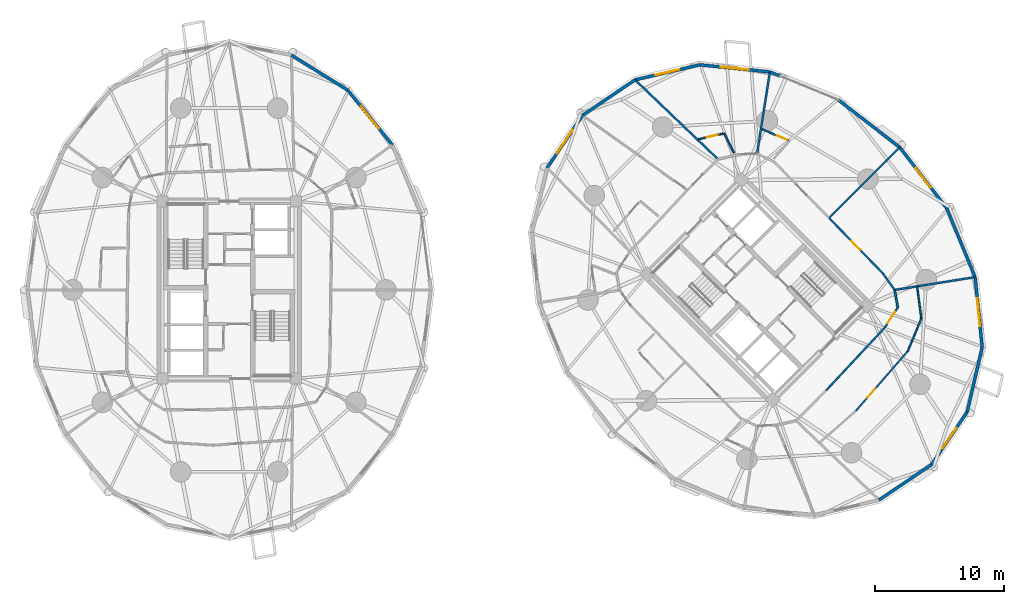
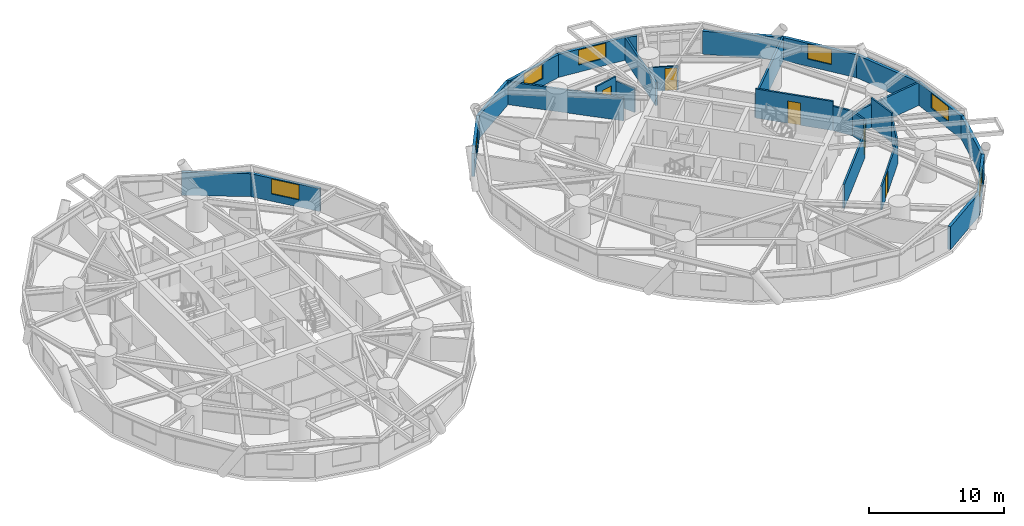
# One storey, part 15 of 18: 29 walls, 7 windows, 5 doors, 12 openings.
"""IFC4 building model written with IfcOpenShell, lengths in metres."""

from ifc_helpers import new_model, si_unit, direction, frame, frame_2d, origin, place, context, subcontext, project, spatial, rectangle, extrude, source, transform, mapped, material, layer, layer_set, type_object, element, fill, save


model = new_model("IFC4")

# Units and contexts
model_context = context("Model", 3, precision=1e-05, world=origin(), true_north=direction((0.0, 1.0)))
body_context = subcontext(model_context, "Body", "Model", "MODEL_VIEW")
ifc_project = project(units=[si_unit("LENGTHUNIT", "METRE"), si_unit("AREAUNIT", "SQUARE_METRE"), si_unit("VOLUMEUNIT", "CUBIC_METRE"), si_unit("PLANEANGLEUNIT", "RADIAN"), si_unit("MASSUNIT", "GRAM", prefix="KILO")], contexts=[model_context])

# Site, building, storey
site_placement = place(None, origin())
site = spatial("IfcSite", under=ifc_project, at=site_placement, CompositionType="ELEMENT")
building_placement = place(site_placement, origin())
building = spatial("IfcBuilding", under=site, at=building_placement, Name="Cununo Teusaquillo Station Towers", CompositionType="ELEMENT")
storey_placement = place(building_placement, frame((0.0, 0.0, 54.010009765625)))
storey = spatial("IfcBuildingStorey", under=building, at=storey_placement, Name="L16", CompositionType="ELEMENT", Elevation=54.010009765625)

# Wall, opening, window
ifc_material_1 = material(Name="Precast concrete C40/50", Category="concrete")
ifc_layer_1 = layer(ifc_material_1, 0.239990234375)
ifc_layer_set_1 = layer_set([ifc_layer_1], Name="Precast concrete C40/50")
wall_type_1 = type_object("IfcWallType", Name="WL-EXT-240", PredefinedType="SOLIDWALL", material=ifc_layer_set_1)
wall_1_placement = place(storey_placement, frame((25.70654296875, 40.0087890625, 0.0), z_axis=(0.0, 0.0, 1.0), x_axis=(0.632713287022, -0.77438614168, 0.0)))
wall_1 = element("IfcWall", 1, at=wall_1_placement, inside=storey, type_object=wall_type_1, Name="L16 Tower A Exterior Facade Wall C02", PredefinedType="SOLIDWALL", context=body_context, shape_type="SweptSolid", body=[
    extrude(rectangle(XDim=5.4765625, YDim=0.239990234375, at=frame_2d((2.73828125, 0.0))), origin(), (0.0, 0.0, 1.0), 2.072998046875),
])
shared_shape_1 = source(origin(), body_context, "Body", "SweptSolid", [
    extrude(rectangle(XDim=2.199951171875, YDim=1.35009765625, at=frame_2d((1.10009765625, 0.675048828125))), frame((0.0, 0.1298828125, 0.0), z_axis=(0.0, -1.0, 0.0), x_axis=(1.0, 0.0, 0.0)), (0.0, 0.0, 1.0), 0.260009765625),
])
opening_1_placement = place(wall_1_placement, frame((1.637939453125, 0.0, 0.64990234375)))
opening_1 = element("IfcOpeningElement", 2, at=opening_1_placement, cuts=wall_1, Name="Opening WN-01", PredefinedType="OPENING", context=body_context, shape_type="MappedRepresentation", body=[
    mapped(shared_shape_1, transform((0.0, 0.0, 0.0), x_axis=(1.0, 0.0, 0.0), y_axis=(0.0, 1.0, 0.0), z_axis=(0.0, 0.0, 1.0), scale=1.0)),
])
ifc_material_2 = material(Name="Ceramic-fritted dark low-E double glazing", Category="glass")
window_type_1 = type_object("IfcWindowType", Name="WIN-FRIT-2200", PartitioningType="DOUBLE_PANEL_VERTICAL", PredefinedType="WINDOW", material=ifc_material_2)
shared_shape_2 = source(origin(), body_context, "Body", "SweptSolid", [
    extrude(rectangle(XDim=2.199951171875, YDim=1.35009765625, at=frame_2d((1.10009765625, 0.675048828125))), frame((0.0, 0.030029296875, 0.0), z_axis=(0.0, -1.0, 0.0), x_axis=(1.0, 0.0, 0.0)), (0.0, 0.0, 1.0), 0.06005859375),
])
window_1_placement = place(opening_1_placement, origin())
window_1 = element("IfcWindow", 3, at=window_1_placement, inside=storey, type_object=window_type_1, Name="L16 Tower A Facade Window C02", OverallHeight=1.35009765625, OverallWidth=2.199951171875, PartitioningType="DOUBLE_PANEL_VERTICAL", PredefinedType="WINDOW", context=body_context, shape_type="MappedRepresentation", body=[
    mapped(shared_shape_2, transform((0.0, 0.0, 0.0), x_axis=(1.0, 0.0, 0.0), y_axis=(0.0, 1.0, 0.0), z_axis=(0.0, 0.0, 1.0), scale=1.0)),
])
fill(opening_1, window_1)

# Walls
wall_2_placement = place(storey_placement, frame((21.340087890625, 42.731689453125, 0.0), z_axis=(0.0, 0.0, 1.0), x_axis=(0.848533613342, -0.529141481107, 0.0)))
element("IfcWall", 4, at=wall_2_placement, inside=storey, type_object=wall_type_1, Name="L16 Tower A Exterior Facade Wall C03", PredefinedType="SOLIDWALL", context=body_context, shape_type="SweptSolid", body=[
    extrude(rectangle(XDim=5.14599609375, YDim=0.239990234375, at=frame_2d((2.572998046875, 0.0))), origin(), (0.0, 0.0, 1.0), 2.072998046875),
])
wall_3_placement = place(storey_placement, frame((63.844482421875, 39.22216796875, 0.0), z_axis=(0.0, 0.0, 1.0), x_axis=(0.792014314407, -0.610502519057, 0.0)))
element("IfcWall", 5, at=wall_3_placement, inside=storey, type_object=wall_type_1, Name="L16 Tower B Exterior Facade Wall C00", PredefinedType="SOLIDWALL", context=body_context, shape_type="SweptSolid", body=[
    extrude(rectangle(XDim=5.973388671875, YDim=0.239990234375, at=frame_2d((2.98681640625, 0.0))), origin(), (0.0, 0.0, 1.0), 2.072998046875),
])
wall_4_placement = place(storey_placement, frame((58.49267578125, 41.427734375, 0.0), z_axis=(0.0, 0.0, 1.0), x_axis=(0.924556017656, -0.381046152345, 0.0)))
element("IfcWall", 6, at=wall_4_placement, inside=storey, type_object=wall_type_1, Name="L16 Tower B Column Pier Cladding Wall C01-PA", PredefinedType="SOLIDWALL", context=body_context, shape_type="SweptSolid", body=[
    extrude(rectangle(XDim=0.8701171875, YDim=0.239990234375, at=frame_2d((0.43505859375, 0.0))), origin(), (0.0, 0.0, 1.0), 2.072998046875),
])

# Wall, opening, window
wall_5_placement = place(storey_placement, frame((53.04345703125, 41.976318359375, 0.0), z_axis=(0.0, 0.0, 1.0), x_axis=(0.994970765694, -0.100165739718, 0.0)))
wall_5 = element("IfcWall", 7, at=wall_5_placement, inside=storey, type_object=wall_type_1, Name="L16 Tower B Exterior Facade Wall C02", PredefinedType="SOLIDWALL", context=body_context, shape_type="SweptSolid", body=[
    extrude(rectangle(XDim=5.476806640625, YDim=0.239990234375, at=frame_2d((2.73828125, 0.0))), origin(), (0.0, 0.0, 1.0), 2.072998046875),
])
opening_2_placement = place(wall_5_placement, frame((1.637939453125, 0.0, 0.64990234375)))
opening_2 = element("IfcOpeningElement", 8, at=opening_2_placement, cuts=wall_5, Name="Opening WN-01", PredefinedType="OPENING", context=body_context, shape_type="MappedRepresentation", body=[
    mapped(shared_shape_1, transform((0.0, 0.0, 0.0), x_axis=(1.0, 0.0, 0.0), y_axis=(0.0, 1.0, 0.0), z_axis=(0.0, 0.0, 1.0), scale=1.0)),
])
window_2_placement = place(opening_2_placement, origin())
window_2 = element("IfcWindow", 9, at=window_2_placement, inside=storey, type_object=window_type_1, Name="L16 Tower B Facade Window C02", OverallHeight=1.35009765625, OverallWidth=2.199951171875, PartitioningType="DOUBLE_PANEL_VERTICAL", PredefinedType="WINDOW", context=body_context, shape_type="MappedRepresentation", body=[
    mapped(shared_shape_2, transform((0.0, 0.0, 0.0), x_axis=(1.0, 0.0, 0.0), y_axis=(0.0, 1.0, 0.0), z_axis=(0.0, 0.0, 1.0), scale=1.0)),
])
fill(opening_2, window_2)

wall_6_placement = place(storey_placement, frame((48.030517578125, 40.814208984375, 0.0), z_axis=(0.0, 0.0, 1.0), x_axis=(0.974166016949, 0.225833060959, 0.0)))
wall_6 = element("IfcWall", 10, at=wall_6_placement, inside=storey, type_object=wall_type_1, Name="L16 Tower B Exterior Facade Wall C03", PredefinedType="SOLIDWALL", context=body_context, shape_type="SweptSolid", body=[
    extrude(rectangle(XDim=5.14599609375, YDim=0.239990234375, at=frame_2d((2.572998046875, 0.0))), origin(), (0.0, 0.0, 1.0), 2.072998046875),
])
shared_shape_3 = source(origin(), body_context, "Body", "SweptSolid", [
    extrude(rectangle(XDim=1.89990234375, YDim=1.35009765625, at=frame_2d((0.949951171875, 0.675048828125))), frame((0.0, 0.1298828125, 0.0), z_axis=(0.0, -1.0, 0.0), x_axis=(1.0, 0.0, 0.0)), (0.0, 0.0, 1.0), 0.260009765625),
])
opening_3_placement = place(wall_6_placement, frame((1.623046875, 0.0, 0.64990234375)))
opening_3 = element("IfcOpeningElement", 11, at=opening_3_placement, cuts=wall_6, Name="Opening WN-02", PredefinedType="OPENING", context=body_context, shape_type="MappedRepresentation", body=[
    mapped(shared_shape_3, transform((0.0, 0.0, 0.0), x_axis=(1.0, 0.0, 0.0), y_axis=(0.0, 1.0, 0.0), z_axis=(0.0, 0.0, 1.0), scale=1.0)),
])
ifc_material_3 = material(Name="Operable acoustic tinted low-E double glazing", Category="glass")
window_type_2 = type_object("IfcWindowType", Name="WIN-OPER-1900", PartitioningType="DOUBLE_PANEL_VERTICAL", PredefinedType="WINDOW", material=ifc_material_3)
shared_shape_4 = source(origin(), body_context, "Body", "SweptSolid", [
    extrude(rectangle(XDim=1.89990234375, YDim=1.35009765625, at=frame_2d((0.949951171875, 0.675048828125))), frame((0.0, 0.030029296875, 0.0), z_axis=(0.0, -1.0, 0.0), x_axis=(1.0, 0.0, 0.0)), (0.0, 0.0, 1.0), 0.06005859375),
])
window_3_placement = place(opening_3_placement, origin())
window_3 = element("IfcWindow", 12, at=window_3_placement, inside=storey, type_object=window_type_2, Name="L16 Tower B Facade Window C03", OverallHeight=1.35009765625, OverallWidth=1.89990234375, PartitioningType="DOUBLE_PANEL_VERTICAL", PredefinedType="WINDOW", context=body_context, shape_type="MappedRepresentation", body=[
    mapped(shared_shape_4, transform((0.0, 0.0, 0.0), x_axis=(1.0, 0.0, 0.0), y_axis=(0.0, 1.0, 0.0), z_axis=(0.0, 0.0, 1.0), scale=1.0)),
])
fill(opening_3, window_3)

# Wall
wall_7_placement = place(storey_placement, frame((43.94482421875, 38.05517578125, 0.0), z_axis=(0.0, 0.0, 1.0), x_axis=(0.828736708604, 0.559638693991, 0.0)))
element("IfcWall", 13, at=wall_7_placement, inside=storey, type_object=wall_type_1, Name="L16 Tower B Exterior Facade Wall C04", PredefinedType="SOLIDWALL", context=body_context, shape_type="SweptSolid", body=[
    extrude(rectangle(XDim=4.929931640625, YDim=0.239990234375, at=frame_2d((2.46484375, 0.0))), origin(), (0.0, 0.0, 1.0), 2.072998046875),
])

# Wall, opening, window
wall_8_placement = place(storey_placement, frame((41.185791015625, 33.969482421875, 0.0), z_axis=(0.0, 0.0, 1.0), x_axis=(0.559638693991, 0.828736708604, 0.0)))
wall_8 = element("IfcWall", 14, at=wall_8_placement, inside=storey, type_object=wall_type_1, Name="L16 Tower B Exterior Facade Wall C05", PredefinedType="SOLIDWALL", context=body_context, shape_type="SweptSolid", body=[
    extrude(rectangle(XDim=4.929931640625, YDim=0.239990234375, at=frame_2d((2.46484375, 0.0))), origin(), (0.0, 0.0, 1.0), 2.072998046875),
])
opening_4_placement = place(wall_8_placement, frame((1.364990234375, 0.0, 0.64990234375)))
opening_4 = element("IfcOpeningElement", 15, at=opening_4_placement, cuts=wall_8, Name="Opening WN-01", PredefinedType="OPENING", context=body_context, shape_type="MappedRepresentation", body=[
    mapped(shared_shape_1, transform((0.0, 0.0, 0.0), x_axis=(1.0, 0.0, 0.0), y_axis=(0.0, 1.0, 0.0), z_axis=(0.0, 0.0, 1.0), scale=1.0)),
])
window_4_placement = place(opening_4_placement, origin())
window_4 = element("IfcWindow", 16, at=window_4_placement, inside=storey, type_object=window_type_1, Name="L16 Tower B Facade Window C05", OverallHeight=1.35009765625, OverallWidth=2.199951171875, PartitioningType="DOUBLE_PANEL_VERTICAL", PredefinedType="WINDOW", context=body_context, shape_type="MappedRepresentation", body=[
    mapped(shared_shape_2, transform((0.0, 0.0, 0.0), x_axis=(1.0, 0.0, 0.0), y_axis=(0.0, 1.0, 0.0), z_axis=(0.0, 0.0, 1.0), scale=1.0)),
])
fill(opening_4, window_4)

# Wall
wall_9_placement = place(storey_placement, frame((71.05517578125, 10.94482421875, 0.0), z_axis=(0.0, 0.0, 1.0), x_axis=(-0.828736708604, -0.559638693991, 0.0)))
element("IfcWall", 17, at=wall_9_placement, inside=storey, type_object=wall_type_1, Name="L16 Tower B Exterior Facade Wall C14", PredefinedType="SOLIDWALL", context=body_context, shape_type="SweptSolid", body=[
    extrude(rectangle(XDim=4.929931640625, YDim=0.239990234375, at=frame_2d((2.46484375, 0.0))), origin(), (0.0, 0.0, 1.0), 2.072998046875),
])

# Wall, opening, window
wall_10_placement = place(storey_placement, frame((73.814208984375, 15.030517578125, 0.0), z_axis=(0.0, 0.0, 1.0), x_axis=(-0.559638693991, -0.828736708604, 0.0)))
wall_10 = element("IfcWall", 18, at=wall_10_placement, inside=storey, type_object=wall_type_1, Name="L16 Tower B Exterior Facade Wall C15", PredefinedType="SOLIDWALL", context=body_context, shape_type="SweptSolid", body=[
    extrude(rectangle(XDim=4.929931640625, YDim=0.239990234375, at=frame_2d((2.46484375, 0.0))), origin(), (0.0, 0.0, 1.0), 2.072998046875),
])
opening_5_placement = place(wall_10_placement, frame((1.514892578125, 0.0, 0.64990234375)))
opening_5 = element("IfcOpeningElement", 19, at=opening_5_placement, cuts=wall_10, Name="Opening WN-02", PredefinedType="OPENING", context=body_context, shape_type="MappedRepresentation", body=[
    mapped(shared_shape_3, transform((0.0, 0.0, 0.0), x_axis=(1.0, 0.0, 0.0), y_axis=(0.0, 1.0, 0.0), z_axis=(0.0, 0.0, 1.0), scale=1.0)),
])
window_5_placement = place(opening_5_placement, origin())
window_5 = element("IfcWindow", 20, at=window_5_placement, inside=storey, type_object=window_type_2, Name="L16 Tower B Facade Window C15", OverallHeight=1.35009765625, OverallWidth=1.89990234375, PartitioningType="DOUBLE_PANEL_VERTICAL", PredefinedType="WINDOW", context=body_context, shape_type="MappedRepresentation", body=[
    mapped(shared_shape_4, transform((0.0, 0.0, 0.0), x_axis=(1.0, 0.0, 0.0), y_axis=(0.0, 1.0, 0.0), z_axis=(0.0, 0.0, 1.0), scale=1.0)),
])
fill(opening_5, window_5)

# Wall
wall_11_placement = place(storey_placement, frame((74.976318359375, 20.04345703125, 0.0), z_axis=(0.0, 0.0, 1.0), x_axis=(-0.225833060959, -0.974166016949, 0.0)))
element("IfcWall", 21, at=wall_11_placement, inside=storey, type_object=wall_type_1, Name="L16 Tower B Exterior Facade Wall C16", PredefinedType="SOLIDWALL", context=body_context, shape_type="SweptSolid", body=[
    extrude(rectangle(XDim=5.14599609375, YDim=0.239990234375, at=frame_2d((2.572998046875, 0.0))), origin(), (0.0, 0.0, 1.0), 2.072998046875),
])

# Wall, opening, window
wall_12_placement = place(storey_placement, frame((74.427734375, 25.49267578125, 0.0), z_axis=(0.0, 0.0, 1.0), x_axis=(0.100165739718, -0.994970765694, 0.0)))
wall_12 = element("IfcWall", 22, at=wall_12_placement, inside=storey, type_object=wall_type_1, Name="L16 Tower B Exterior Facade Wall C17", PredefinedType="SOLIDWALL", context=body_context, shape_type="SweptSolid", body=[
    extrude(rectangle(XDim=5.476806640625, YDim=0.239990234375, at=frame_2d((2.73828125, 0.0))), origin(), (0.0, 0.0, 1.0), 2.072998046875),
])
opening_6_placement = place(wall_12_placement, frame((1.637939453125, 0.0, 0.64990234375)))
opening_6 = element("IfcOpeningElement", 23, at=opening_6_placement, cuts=wall_12, Name="Opening WN-01", PredefinedType="OPENING", context=body_context, shape_type="MappedRepresentation", body=[
    mapped(shared_shape_1, transform((0.0, 0.0, 0.0), x_axis=(1.0, 0.0, 0.0), y_axis=(0.0, 1.0, 0.0), z_axis=(0.0, 0.0, 1.0), scale=1.0)),
])
window_6_placement = place(opening_6_placement, origin())
window_6 = element("IfcWindow", 24, at=window_6_placement, inside=storey, type_object=window_type_1, Name="L16 Tower B Facade Window C17", OverallHeight=1.35009765625, OverallWidth=2.199951171875, PartitioningType="DOUBLE_PANEL_VERTICAL", PredefinedType="WINDOW", context=body_context, shape_type="MappedRepresentation", body=[
    mapped(shared_shape_2, transform((0.0, 0.0, 0.0), x_axis=(1.0, 0.0, 0.0), y_axis=(0.0, 1.0, 0.0), z_axis=(0.0, 0.0, 1.0), scale=1.0)),
])
fill(opening_6, window_6)

# Wall
wall_13_placement = place(storey_placement, frame((72.22216796875, 30.844482421875, 0.0), z_axis=(0.0, 0.0, 1.0), x_axis=(0.381027682565, -0.924563629567, 0.0)))
element("IfcWall", 25, at=wall_13_placement, inside=storey, type_object=wall_type_1, Name="L16 Tower B Exterior Facade Wall C18", PredefinedType="SOLIDWALL", context=body_context, shape_type="SweptSolid", body=[
    extrude(rectangle(XDim=5.78857421875, YDim=0.239990234375, at=frame_2d((2.894287109375, 0.0))), origin(), (0.0, 0.0, 1.0), 2.072998046875),
])

# Wall, opening, window
wall_14_placement = place(storey_placement, frame((68.575439453125, 35.575439453125, 0.0), z_axis=(0.0, 0.0, 1.0), x_axis=(0.610502519057, -0.792014314407, 0.0)))
wall_14 = element("IfcWall", 26, at=wall_14_placement, inside=storey, type_object=wall_type_1, Name="L16 Tower B Exterior Facade Wall C19", PredefinedType="SOLIDWALL", context=body_context, shape_type="SweptSolid", body=[
    extrude(rectangle(XDim=5.973388671875, YDim=0.239990234375, at=frame_2d((2.98681640625, 0.0))), origin(), (0.0, 0.0, 1.0), 2.072998046875),
])
opening_7_placement = place(wall_14_placement, frame((2.037109375, 0.0, 0.64990234375)))
opening_7 = element("IfcOpeningElement", 27, at=opening_7_placement, cuts=wall_14, Name="Opening WN-02", PredefinedType="OPENING", context=body_context, shape_type="MappedRepresentation", body=[
    mapped(shared_shape_3, transform((0.0, 0.0, 0.0), x_axis=(1.0, 0.0, 0.0), y_axis=(0.0, 1.0, 0.0), z_axis=(0.0, 0.0, 1.0), scale=1.0)),
])
window_7_placement = place(opening_7_placement, origin())
window_7 = element("IfcWindow", 28, at=window_7_placement, inside=storey, type_object=window_type_2, Name="L16 Tower B Facade Window C19", OverallHeight=1.35009765625, OverallWidth=1.89990234375, PartitioningType="DOUBLE_PANEL_VERTICAL", PredefinedType="WINDOW", context=body_context, shape_type="MappedRepresentation", body=[
    mapped(shared_shape_4, transform((0.0, 0.0, 0.0), x_axis=(1.0, 0.0, 0.0), y_axis=(0.0, 1.0, 0.0), z_axis=(0.0, 0.0, 1.0), scale=1.0)),
])
fill(opening_7, window_7)

# Wall
ifc_material_4 = material(Name="Fire-rated gypsum plasterboard partition assembly", Category="gypsum")
ifc_layer_2 = layer(ifc_material_4, 0.125)
ifc_layer_set_2 = layer_set([ifc_layer_2], Name="Fire-rated gypsum plasterboard partition assembly")
wall_type_2 = type_object("IfcWallType", Name="WL-PART-125", PredefinedType="PARTITIONING", material=ifc_layer_set_2)
wall_15_placement = place(storey_placement, frame((55.6953125, 35.158203125, 0.0), z_axis=(0.0, 0.0, 1.0), x_axis=(-0.450698346964, 0.892676313142, 0.0)))
element("IfcWall", 29, at=wall_15_placement, inside=storey, type_object=wall_type_2, Name="L16 Tower B S01 En-suite Side Wall", PredefinedType="PARTITIONING", context=body_context, shape_type="SweptSolid", body=[
    extrude(rectangle(XDim=1.6796875, YDim=0.125, at=frame_2d((0.83984375, 0.0))), origin(), (0.0, 0.0, 1.0), 2.205078125),
])

# Wall, opening, door
wall_16_placement = place(storey_placement, frame((54.877685546875, 36.643798828125, 0.0), z_axis=(0.0, 0.0, 1.0), x_axis=(-0.974554917581, -0.224148862631, 0.0)))
wall_16 = element("IfcWall", 30, at=wall_16_placement, inside=storey, type_object=wall_type_2, Name="L16 Tower B S01 En-suite Back Wall", PredefinedType="PARTITIONING", context=body_context, shape_type="SweptSolid", body=[
    extrude(rectangle(XDim=1.982421875, YDim=0.125, at=frame_2d((0.9912109375, 0.0))), origin(), (0.0, 0.0, 1.0), 2.635009765625),
])
shared_shape_5 = source(origin(), body_context, "Body", "SweptSolid", [
    extrude(rectangle(XDim=0.89990234375, YDim=2.0048828125, at=frame_2d((0.449951171875, 1.00244140625))), frame((0.0, 0.072509765625, 0.0), z_axis=(0.0, -1.0, 0.0), x_axis=(1.0, 0.0, 0.0)), (0.0, 0.0, 1.0), 0.14501953125),
])
opening_8_placement = place(wall_16_placement, frame((0.43603515625, 0.0, 0.0)))
opening_8 = element("IfcOpeningElement", 31, at=opening_8_placement, cuts=wall_16, Name="Opening D-IN1", PredefinedType="OPENING", context=body_context, shape_type="MappedRepresentation", body=[
    mapped(shared_shape_5, transform((0.0, 0.0, 0.0), x_axis=(1.0, 0.0, 0.0), y_axis=(0.0, 1.0, 0.0), z_axis=(0.0, 0.0, 1.0), scale=1.0)),
])
ifc_material_5 = material(Name="Acoustic solid-core hardwood leaf assembly", Category="wood")
door_type_1 = type_object("IfcDoorType", Name="DR-INT-900", OperationType="NOTDEFINED", PredefinedType="DOOR", material=ifc_material_5)
shared_shape_6 = source(origin(), body_context, "Body", "SweptSolid", [
    extrude(rectangle(XDim=0.89990234375, YDim=2.0048828125, at=frame_2d((0.449951171875, 1.00244140625))), frame((0.0, 0.02490234375, 0.0), z_axis=(0.0, -1.0, 0.0), x_axis=(1.0, 0.0, 0.0)), (0.0, 0.0, 1.0), 0.050048828125),
])
door_1_placement = place(opening_8_placement, origin())
door_1 = element("IfcDoor", 32, at=door_1_placement, inside=storey, type_object=door_type_1, Name="L16 Tower B S01 En-suite Bathroom Door", OperationType="SINGLE_SWING_LEFT", OverallHeight=2.0048828125, OverallWidth=0.89990234375, PredefinedType="DOOR", context=body_context, shape_type="MappedRepresentation", body=[
    mapped(shared_shape_6, transform((0.0, 0.0, 0.0), x_axis=(1.0, 0.0, 0.0), y_axis=(0.0, 1.0, 0.0), z_axis=(0.0, 0.0, 1.0), scale=1.0)),
])
fill(opening_8, door_1)

wall_17_placement = place(storey_placement, frame((65.156005859375, 15.09375, 0.0), z_axis=(0.0, 0.0, 1.0), x_axis=(0.656356662483, 0.754450748302, 0.0)))
wall_17 = element("IfcWall", 33, at=wall_17_placement, inside=storey, type_object=wall_type_2, Name="L16 Tower B Hotel Housekeeping & Linen Pantry Concentric Partition Wall C15", PredefinedType="PARTITIONING", context=body_context, shape_type="SweptSolid", body=[
    extrude(rectangle(XDim=6.1474609375, YDim=0.125, at=frame_2d((3.07373046875, 0.0))), origin(), (0.0, 0.0, 1.0), 2.158935546875),
])
opening_9_placement = place(wall_17_placement, frame((1.371826171875, 0.0, 0.0)))
opening_9 = element("IfcOpeningElement", 34, at=opening_9_placement, cuts=wall_17, Name="Opening D-IN1", PredefinedType="OPENING", context=body_context, shape_type="MappedRepresentation", body=[
    mapped(shared_shape_5, transform((0.0, 0.0, 0.0), x_axis=(1.0, 0.0, 0.0), y_axis=(0.0, 1.0, 0.0), z_axis=(0.0, 0.0, 1.0), scale=1.0)),
])
door_2_placement = place(opening_9_placement, origin())
door_2 = element("IfcDoor", 35, at=door_2_placement, inside=storey, type_object=door_type_1, Name="L16 Tower B Hotel Housekeeping & Linen Pantry Connecting Door", OperationType="SINGLE_SWING_RIGHT", OverallHeight=2.0048828125, OverallWidth=0.89990234375, PredefinedType="DOOR", context=body_context, shape_type="MappedRepresentation", body=[
    mapped(shared_shape_6, transform((0.0, 0.0, 0.0), x_axis=(1.0, 0.0, 0.0), y_axis=(0.0, 1.0, 0.0), z_axis=(0.0, 0.0, 1.0), scale=1.0)),
])
fill(opening_9, door_2)

# Walls
wall_18_placement = place(storey_placement, frame((69.19091796875, 19.731689453125, 0.0), z_axis=(0.0, 0.0, 1.0), x_axis=(0.385156247749, 0.922851377427, 0.0)))
element("IfcWall", 36, at=wall_18_placement, inside=storey, type_object=wall_type_2, Name="L16 Tower B Hotel Housekeeping & Linen Pantry Concentric Partition Wall C16", PredefinedType="PARTITIONING", context=body_context, shape_type="SweptSolid", body=[
    extrude(rectangle(XDim=2.756103515625, YDim=0.125, at=frame_2d((1.3779296875, 0.0))), origin(), (0.0, 0.0, 1.0), 2.205078125),
])
wall_19_placement = place(storey_placement, frame((70.25244140625, 22.275146484375, 0.0), z_axis=(0.0, 0.0, 1.0), x_axis=(-0.129645482902, 0.991560411051, 0.0)))
element("IfcWall", 37, at=wall_19_placement, inside=storey, type_object=wall_type_2, Name="L16 Tower B Hotel Housekeeping & Linen Pantry Concentric Partition Wall C17", PredefinedType="PARTITIONING", context=body_context, shape_type="SweptSolid", body=[
    extrude(rectangle(XDim=2.521484375, YDim=0.125, at=frame_2d((1.2607421875, 0.0))), origin(), (0.0, 0.0, 1.0), 2.635009765625),
])

# Wall, opening, door
wall_20_placement = place(storey_placement, frame((59.9501953125, 36.090087890625, 0.0), z_axis=(0.0, 0.0, 1.0), x_axis=(-0.916037613906, 0.401092370795, 0.0)))
wall_20 = element("IfcWall", 38, at=wall_20_placement, inside=storey, type_object=wall_type_2, Name="L16 Tower B S09 En-suite Back Wall", PredefinedType="PARTITIONING", context=body_context, shape_type="SweptSolid", body=[
    extrude(rectangle(XDim=2.247314453125, YDim=0.125, at=frame_2d((1.12353515625, 0.0))), origin(), (0.0, 0.0, 1.0), 2.158935546875),
])
opening_10_placement = place(wall_20_placement, frame((0.1201171875, 0.0, 0.0)))
opening_10 = element("IfcOpeningElement", 39, at=opening_10_placement, cuts=wall_20, Name="Opening D-IN1", PredefinedType="OPENING", context=body_context, shape_type="MappedRepresentation", body=[
    mapped(shared_shape_5, transform((0.0, 0.0, 0.0), x_axis=(1.0, 0.0, 0.0), y_axis=(0.0, 1.0, 0.0), z_axis=(0.0, 0.0, 1.0), scale=1.0)),
])
door_3_placement = place(opening_10_placement, origin())
door_3 = element("IfcDoor", 40, at=door_3_placement, inside=storey, type_object=door_type_1, Name="L16 Tower B S09 En-suite Bathroom Door", OperationType="SINGLE_SWING_LEFT", OverallHeight=2.0048828125, OverallWidth=0.89990234375, PredefinedType="DOOR", context=body_context, shape_type="MappedRepresentation", body=[
    mapped(shared_shape_6, transform((0.0, 0.0, 0.0), x_axis=(1.0, 0.0, 0.0), y_axis=(0.0, 1.0, 0.0), z_axis=(0.0, 0.0, 1.0), scale=1.0)),
])
fill(opening_10, door_3)

# Wall
ifc_material_6 = material(Name="Fire-rated gypsum plasterboard partition assembly", Category="gypsum")
ifc_layer_3 = layer(ifc_material_6, 0.14990234375)
ifc_layer_set_3 = layer_set([ifc_layer_3], Name="Fire-rated gypsum plasterboard partition assembly")
wall_type_3 = type_object("IfcWallType", Name="WL-PART-150", PredefinedType="PARTITIONING", material=ifc_layer_set_3)
wall_21_placement = place(storey_placement, frame((62.8671875, 16.70166015625, 0.0), z_axis=(0.0, 0.0, 1.0), x_axis=(0.682449206191, 0.73093302085, 0.0)))
element("IfcWall", 41, at=wall_21_placement, inside=storey, type_object=wall_type_3, Name="L16 Tower B Corridor Ring Wall C15", PredefinedType="PARTITIONING", context=body_context, shape_type="SweptSolid", body=[
    extrude(rectangle(XDim=6.641845703125, YDim=0.14990234375, at=frame_2d((3.32080078125, 0.0))), origin(), (0.0, 0.0, 1.0), 2.158935546875),
])

# Wall, opening, door
wall_22_placement = place(storey_placement, frame((67.39990234375, 21.556396484375, 0.0), z_axis=(0.0, 0.0, 1.0), x_axis=(0.542247692187, 0.840218686009, 0.0)))
wall_22 = element("IfcWall", 42, at=wall_22_placement, inside=storey, type_object=wall_type_3, Name="L16 Tower B Corridor Ring Wall C16", PredefinedType="PARTITIONING", context=body_context, shape_type="SweptSolid", body=[
    extrude(rectangle(XDim=1.886962890625, YDim=0.14990234375, at=frame_2d((0.943359375, 0.0))), origin(), (0.0, 0.0, 1.0), 2.205078125),
])
shared_shape_7 = source(origin(), body_context, "Body", "SweptSolid", [
    extrude(rectangle(XDim=1.050048828125, YDim=2.014892578125, at=frame_2d((0.52490234375, 1.00732421875))), frame((0.0, 0.0849609375, 0.0), z_axis=(0.0, -1.0, 0.0), x_axis=(1.0, 0.0, 0.0)), (0.0, 0.0, 1.0), 0.169921875),
])
opening_11_placement = place(wall_22_placement, frame((0.418701171875, 0.0, 0.0)))
opening_11 = element("IfcOpeningElement", 43, at=opening_11_placement, cuts=wall_22, Name="Opening D-SU1", PredefinedType="OPENING", context=body_context, shape_type="MappedRepresentation", body=[
    mapped(shared_shape_7, transform((0.0, 0.0, 0.0), x_axis=(1.0, 0.0, 0.0), y_axis=(0.0, 1.0, 0.0), z_axis=(0.0, 0.0, 1.0), scale=1.0)),
])
ifc_material_7 = material(Name="Acoustic solid-core hardwood leaf assembly", Category="wood")
door_type_2 = type_object("IfcDoorType", Name="DR-SUITE-1050", OperationType="NOTDEFINED", PredefinedType="DOOR", material=ifc_material_7)
shared_shape_8 = source(origin(), body_context, "Body", "SweptSolid", [
    extrude(rectangle(XDim=1.050048828125, YDim=2.014892578125, at=frame_2d((0.52490234375, 1.00732421875))), frame((0.0, 0.02490234375, 0.0), z_axis=(0.0, -1.0, 0.0), x_axis=(1.0, 0.0, 0.0)), (0.0, 0.0, 1.0), 0.050048828125),
])
door_4_placement = place(opening_11_placement, origin())
door_4 = element("IfcDoor", 44, at=door_4_placement, inside=storey, type_object=door_type_2, Name="L16 Tower B Hotel Housekeeping & Linen Pantry Entrance Door", OperationType="SINGLE_SWING_LEFT", OverallHeight=2.014892578125, OverallWidth=1.050048828125, PredefinedType="DOOR", context=body_context, shape_type="MappedRepresentation", body=[
    mapped(shared_shape_8, transform((0.0, 0.0, 0.0), x_axis=(1.0, 0.0, 0.0), y_axis=(0.0, 1.0, 0.0), z_axis=(0.0, 0.0, 1.0), scale=1.0)),
])
fill(opening_11, door_4)

# Walls
wall_23_placement = place(storey_placement, frame((68.423095703125, 23.141845703125, 0.0), z_axis=(0.0, 0.0, 1.0), x_axis=(-0.174796562349, 0.984604571283, 0.0)))
element("IfcWall", 45, at=wall_23_placement, inside=storey, type_object=wall_type_3, Name="L16 Tower B Corridor Ring Wall C17", PredefinedType="PARTITIONING", context=body_context, shape_type="SweptSolid", body=[
    extrude(rectangle(XDim=1.377197265625, YDim=0.14990234375, at=frame_2d((0.6884765625, 0.0))), origin(), (0.0, 0.0, 1.0), 2.158935546875),
])
wall_24_placement = place(storey_placement, frame((68.182373046875, 24.497802734375, 0.0), z_axis=(0.0, 0.0, 1.0), x_axis=(-0.582532339525, 0.812807525437, 0.0)))
element("IfcWall", 46, at=wall_24_placement, inside=storey, type_object=wall_type_3, Name="L16 Tower B Corridor Ring Wall C18", PredefinedType="PARTITIONING", context=body_context, shape_type="SweptSolid", body=[
    extrude(rectangle(XDim=1.605224609375, YDim=0.14990234375, at=frame_2d((0.802734375, 0.0))), origin(), (0.0, 0.0, 1.0), 2.205078125),
])

# Wall, opening, door
wall_25_placement = place(storey_placement, frame((67.247314453125, 25.802490234375, 0.0), z_axis=(0.0, 0.0, 1.0), x_axis=(-0.696771261687, 0.71729339108, 0.0)))
wall_25 = element("IfcWall", 47, at=wall_25_placement, inside=storey, type_object=wall_type_3, Name="L16 Tower B Corridor Ring Wall C19", PredefinedType="PARTITIONING", context=body_context, shape_type="SweptSolid", body=[
    extrude(rectangle(XDim=5.971923828125, YDim=0.14990234375, at=frame_2d((2.98583984375, 0.0))), origin(), (0.0, 0.0, 1.0), 2.635009765625),
])
shared_shape_9 = source(origin(), body_context, "Body", "SweptSolid", [
    extrude(rectangle(XDim=1.0, YDim=2.014892578125, at=frame_2d((0.5, 1.00732421875))), frame((0.0, 0.0849609375, 0.0), z_axis=(0.0, -1.0, 0.0), x_axis=(1.0, 0.0, 0.0)), (0.0, 0.0, 1.0), 0.169921875),
])
opening_12_placement = place(wall_25_placement, frame((2.486083984375, 0.0, 0.0)))
opening_12 = element("IfcOpeningElement", 48, at=opening_12_placement, cuts=wall_25, Name="Opening D-AC1", PredefinedType="OPENING", context=body_context, shape_type="MappedRepresentation", body=[
    mapped(shared_shape_9, transform((0.0, 0.0, 0.0), x_axis=(1.0, 0.0, 0.0), y_axis=(0.0, 1.0, 0.0), z_axis=(0.0, 0.0, 1.0), scale=1.0)),
])
ifc_material_8 = material(Name="Acoustic solid-core hardwood leaf assembly", Category="wood")
door_type_3 = type_object("IfcDoorType", Name="DR-ACC-1000", OperationType="NOTDEFINED", PredefinedType="DOOR", material=ifc_material_8)
shared_shape_10 = source(origin(), body_context, "Body", "SweptSolid", [
    extrude(rectangle(XDim=1.0, YDim=2.014892578125, at=frame_2d((0.5, 1.00732421875))), frame((0.0, 0.02490234375, 0.0), z_axis=(0.0, -1.0, 0.0), x_axis=(1.0, 0.0, 0.0)), (0.0, 0.0, 1.0), 0.050048828125),
])
door_5_placement = place(opening_12_placement, origin())
door_5 = element("IfcDoor", 49, at=door_5_placement, inside=storey, type_object=door_type_3, Name="L16 Tower B Public Accessible Restroom WC Entrance Door", OperationType="SINGLE_SWING_LEFT", OverallHeight=2.014892578125, OverallWidth=1.0, PredefinedType="DOOR", context=body_context, shape_type="MappedRepresentation", body=[
    mapped(shared_shape_10, transform((0.0, 0.0, 0.0), x_axis=(1.0, 0.0, 0.0), y_axis=(0.0, 1.0, 0.0), z_axis=(0.0, 0.0, 1.0), scale=1.0)),
])
fill(opening_12, door_5)

# Walls
ifc_material_9 = material(Name="Fire-rated gypsum plasterboard partition assembly", Category="gypsum")
ifc_layer_4 = layer(ifc_material_9, 0.159912109375)
ifc_layer_set_4 = layer_set([ifc_layer_4], Name="Fire-rated gypsum plasterboard partition assembly")
wall_type_4 = type_object("IfcWallType", Name="WL-PART-160", PredefinedType="PARTITIONING", material=ifc_layer_set_4)
wall_26_placement = place(storey_placement, frame((63.086181640625, 30.086181640625, 0.0), z_axis=(0.0, 0.0, 1.0), x_axis=(0.707106781187, 0.707106781187, 0.0)))
element("IfcWall", 50, at=wall_26_placement, inside=storey, type_object=wall_type_4, Name="L16 Tower B Radial Suite Partition R01", PredefinedType="PARTITIONING", context=body_context, shape_type="SweptSolid", body=[
    extrude(rectangle(XDim=7.742919921875, YDim=0.159912109375, at=frame_2d((3.87158203125, 0.0))), origin(), (0.0, 0.0, 1.0), 2.072998046875),
])
wall_27_placement = place(storey_placement, frame((57.4951171875, 35.082763671875, 0.0), z_axis=(0.0, 0.0, 1.0), x_axis=(0.155296837382, 0.987867851638, 0.0)))
element("IfcWall", 51, at=wall_27_placement, inside=storey, type_object=wall_type_4, Name="L16 Tower B Radial Suite Partition R02", PredefinedType="PARTITIONING", context=body_context, shape_type="SweptSolid", body=[
    extrude(rectangle(XDim=6.403076171875, YDim=0.159912109375, at=frame_2d((3.20166015625, 0.0))), origin(), (0.0, 0.0, 1.0), 2.072998046875),
])
wall_28_placement = place(storey_placement, frame((54.46142578125, 34.647705078125, 0.0), z_axis=(0.0, 0.0, 1.0), x_axis=(-0.722290498621, 0.691589788532, 0.0)))
element("IfcWall", 52, at=wall_28_placement, inside=storey, type_object=wall_type_4, Name="L16 Tower B Radial Suite Partition R03", PredefinedType="PARTITIONING", context=body_context, shape_type="SweptSolid", body=[
    extrude(rectangle(XDim=8.890625, YDim=0.159912109375, at=frame_2d((4.4453125, 0.0))), origin(), (0.0, 0.0, 1.0), 2.072998046875),
])
wall_29_placement = place(storey_placement, frame((68.182373046875, 24.497802734375, 0.0), z_axis=(0.0, 0.0, 1.0), x_axis=(0.987550107246, 0.157304754152, 0.0)))
element("IfcWall", 53, at=wall_29_placement, inside=storey, type_object=wall_type_4, Name="L16 Tower B Radial Suite Partition R09", PredefinedType="PARTITIONING", context=body_context, shape_type="SweptSolid", body=[
    extrude(rectangle(XDim=6.30419921875, YDim=0.159912109375, at=frame_2d((3.152099609375, 0.0))), origin(), (0.0, 0.0, 1.0), 2.072998046875),
])

save(model, "model.ifc")
